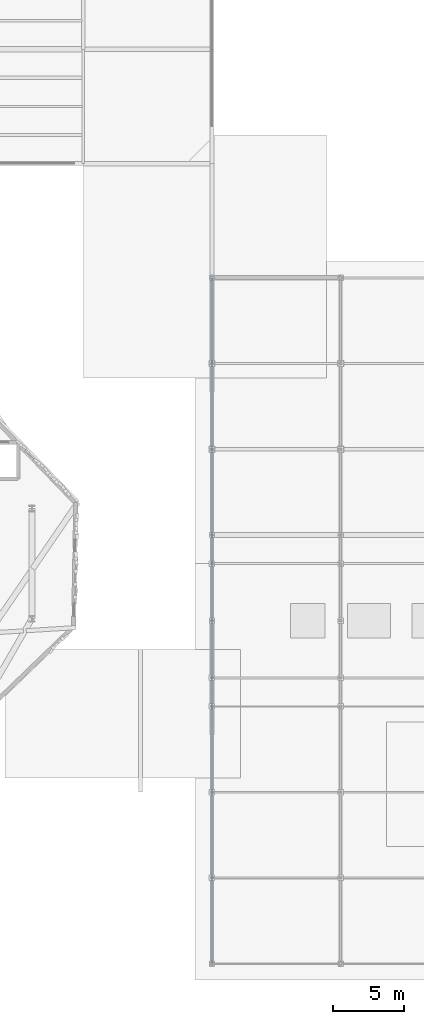
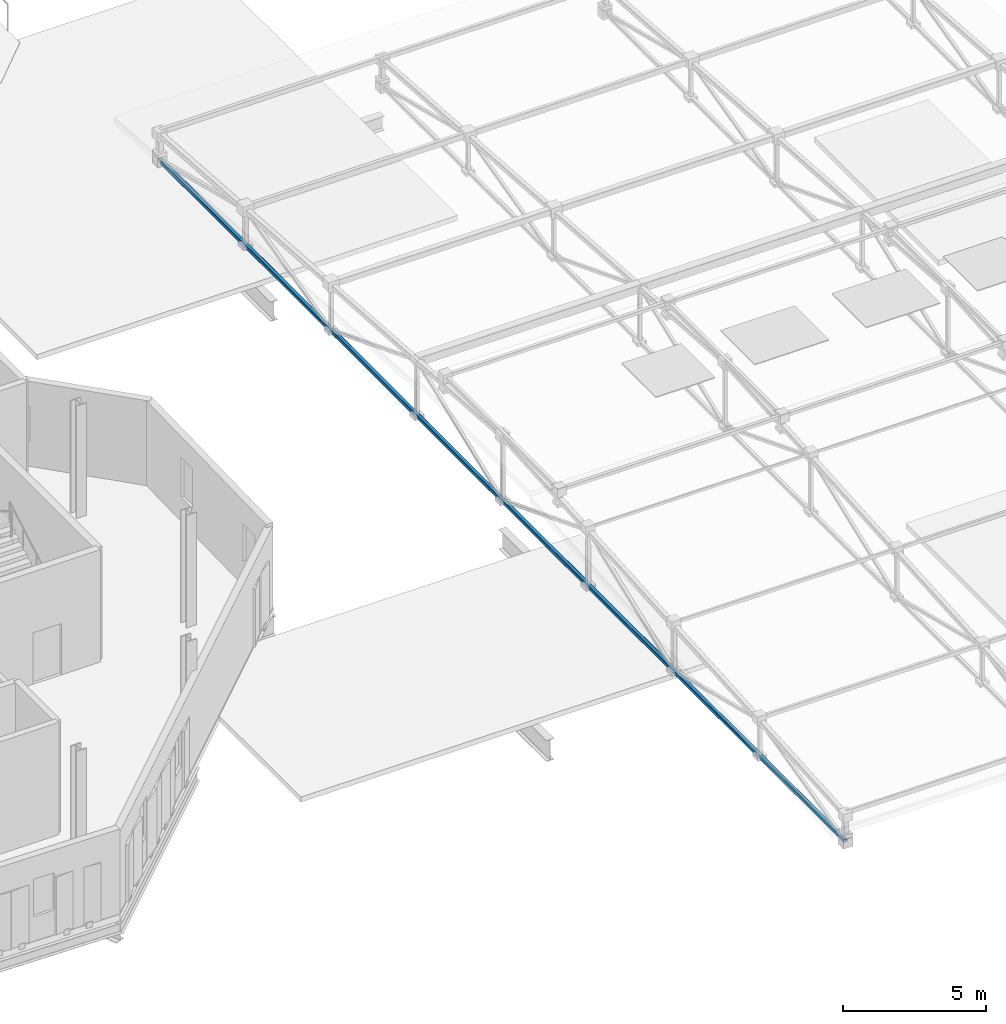
# One storey, part 15 of 85: 1 beam.
"""IFC4 building model written with IfcOpenShell, lengths in metres."""

from ifc_helpers import new_model, si_unit, direction, frame, origin, origin_2d, place, context, subcontext, project, spatial, hollow_rectangle, extrude, material, material_profile, profile_set, type_object, element, save


model = new_model("IFC4")

# Units and contexts
model_context = context("Model", 3, precision=1e-05, world=origin(), true_north=direction((0.0, 1.0)))
body_context = subcontext(model_context, "Body", "Model", "MODEL_VIEW")
ifc_project = project(units=[si_unit("LENGTHUNIT", "METRE"), si_unit("AREAUNIT", "SQUARE_METRE"), si_unit("VOLUMEUNIT", "CUBIC_METRE"), si_unit("PLANEANGLEUNIT", "RADIAN"), si_unit("MASSUNIT", "GRAM", prefix="KILO"), si_unit("THERMODYNAMICTEMPERATUREUNIT", "KELVIN"), si_unit("POWERUNIT", "WATT")], contexts=[model_context])

# Site, building, storey
site_placement = place(None, origin())
site = spatial("IfcSite", under=ifc_project, at=site_placement, CompositionType="ELEMENT")
building_placement = place(site_placement, origin())
building = spatial("IfcBuilding", under=site, at=building_placement, Name="Zelmaris Science Centre", CompositionType="ELEMENT")
storey_placement = place(building_placement, frame((0.0, 0.0, 20.39990234375)))
storey = spatial("IfcBuildingStorey", under=building, at=storey_placement, Name="L04", CompositionType="ELEMENT", Elevation=20.39990234375)

# Beam
ifc_material = material(Name="Steel ASTM A500 Grade C", Category="steel")
ifc_material_profile = material_profile(ifc_material, hollow_rectangle(XDim=0.15234375, YDim=0.15234375, WallThickness=0.0087890625, InnerFilletRadius=0.0087890625, OuterFilletRadius=0.017822265625, at=origin_2d()), Name="HSS152X152X10")
ifc_profile_set = profile_set([ifc_material_profile], Name="Steel ASTM A500 Grade C")
beam_type = type_object("IfcBeamType", Name="Beam G-21 HSS152X152X10", PredefinedType="BEAM", material=ifc_profile_set)
beam_placement = place(storey_placement, frame((108.0, 8.0, 0.947998046875), z_axis=(0.0, 1.0, 0.0), x_axis=(-1.0, 0.0, 0.0)))
element("IfcBeam", 1, at=beam_placement, inside=storey, type_object=beam_type, Name="RF-V4 Roof truss 1 bottom chord", PredefinedType="BEAM", context=body_context, shape_type="SweptSolid", body=[
    extrude(hollow_rectangle(XDim=0.15234375, YDim=0.15234375, WallThickness=0.0087890625, InnerFilletRadius=0.0087890625, OuterFilletRadius=0.017822265625, at=origin_2d()), origin(), (0.0, 0.0, 1.0), 48.0),
])

save(model, "model.ifc")
